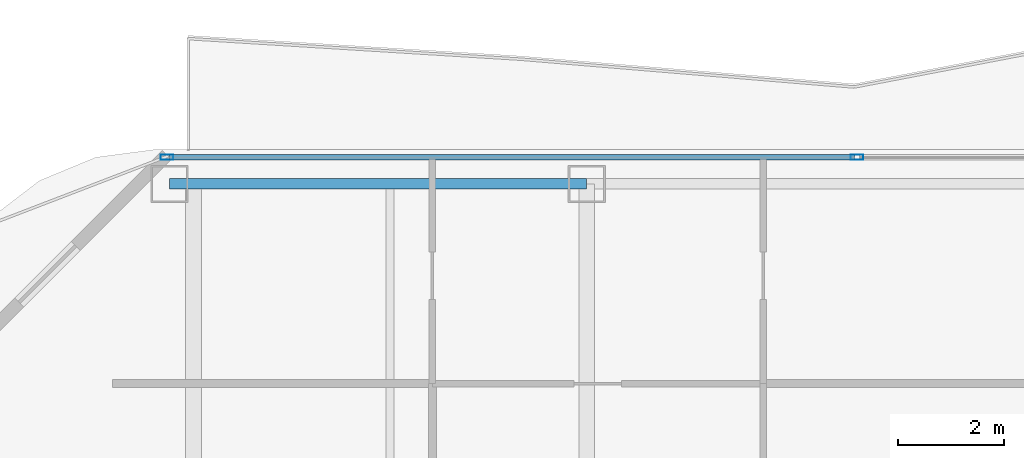
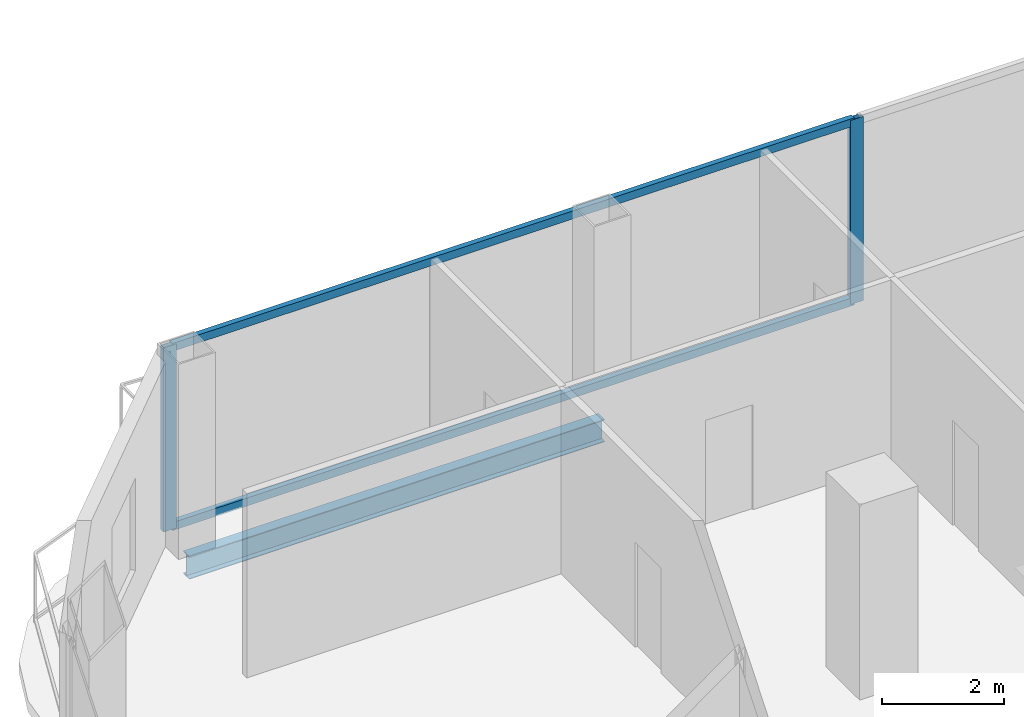
# One storey, part 14 of 27: 4 members, 1 beam, 1 element without a shape of its own.
"""IFC4 building model written with IfcOpenShell, lengths in metres."""

from ifc_helpers import new_model, si_unit, direction, frame, origin, origin_2d, place, context, subcontext, project, spatial, hollow_rectangle, i_section, extrude, material, layer, layer_set, material_profile, profile_set, type_object, element, aggregate, save


model = new_model("IFC4")

# Units and contexts
model_context = context("Model", 3, precision=1e-05, world=origin(), true_north=direction((0.0, 1.0)))
body_context = subcontext(model_context, "Body", "Model", "MODEL_VIEW")
ifc_project = project(units=[si_unit("LENGTHUNIT", "METRE"), si_unit("AREAUNIT", "SQUARE_METRE"), si_unit("VOLUMEUNIT", "CUBIC_METRE"), si_unit("PLANEANGLEUNIT", "RADIAN"), si_unit("MASSUNIT", "GRAM", prefix="KILO")], contexts=[model_context])

# Site, building, storey
site_placement = place(None, origin())
site = spatial("IfcSite", under=ifc_project, at=site_placement, CompositionType="ELEMENT")
building_placement = place(site_placement, origin())
building = spatial("IfcBuilding", under=site, at=building_placement, Name="Khorvyn Point Tower", CompositionType="ELEMENT")
storey_placement = place(building_placement, frame((0.0, 0.0, 129.0)))
storey = spatial("IfcBuildingStorey", under=building, at=storey_placement, Name="L32", CompositionType="ELEMENT", Elevation=129.0)

# Curtain wall, members
ifc_material_1 = material(Name="Anodised aluminium 6063-T6 and laminated Low-E glass", Category="aluminium")
ifc_layer = layer(ifc_material_1, 0.18994140625)
ifc_layer_set = layer_set([ifc_layer], Name="Stick-Built Acoustic Curtain Wall CW-SYS-03")
curtain_wall_type = type_object("IfcCurtainWallType", Name="Stick-Built Acoustic Curtain Wall CW-SYS-03", PredefinedType="NOTDEFINED", material=ifc_layer_set)
curtain_wall_placement = place(storey_placement, origin())
curtain_wall = element("IfcCurtainWall", 1, at=curtain_wall_placement, inside=storey, type_object=curtain_wall_type, Name="Curtain Wall", PredefinedType="NOTDEFINED")
ifc_material_2 = material(Name="Anodised aluminium 6063-T6", Category="aluminium")
ifc_material_profile_1 = material_profile(ifc_material_2, hollow_rectangle(XDim=0.10009765625, YDim=0.239990234375, WallThickness=0.0048828125, at=origin_2d()))
ifc_profile_set_1 = profile_set([ifc_material_profile_1], Name="Anodised aluminium 6063-T6 ALU-MUL-100x240")
member_type_1 = type_object("IfcMemberType", Name="Anodised Aluminium 6063-T6 Mullion ALU-MUL-100x240", PredefinedType="MULLION", material=ifc_profile_set_1)
member_1_placement = place(storey_placement, frame((-15.300048828125, 29.449951171875, 0.0), z_axis=(0.0, 0.0, 1.0), x_axis=(0.0, 1.0, 0.0)))
member_1 = element("IfcMember", 2, at=member_1_placement, type_object=member_type_1, Name="Transom", PredefinedType="MULLION", context=body_context, shape_type="SweptSolid", body=[
    extrude(hollow_rectangle(XDim=0.10009765625, YDim=0.239990234375, WallThickness=0.0048828125, at=origin_2d()), origin(), (0.0, 0.0, 1.0), 3.679931640625),
])
member_2_placement = place(storey_placement, frame((-2.31298828125, 29.449951171875, 0.0), z_axis=(0.0, 0.0, 1.0), x_axis=(0.0, 1.0, 0.0)))
member_2 = element("IfcMember", 3, at=member_2_placement, type_object=member_type_1, Name="Transom", PredefinedType="MULLION", context=body_context, shape_type="SweptSolid", body=[
    extrude(hollow_rectangle(XDim=0.10009765625, YDim=0.239990234375, WallThickness=0.0048828125, at=origin_2d()), origin(), (0.0, 0.0, 1.0), 3.679931640625),
])
ifc_material_profile_2 = material_profile(ifc_material_2, hollow_rectangle(XDim=0.10009765625, YDim=0.159912109375, WallThickness=0.00439453125, at=origin_2d()))
ifc_profile_set_2 = profile_set([ifc_material_profile_2], Name="Anodised aluminium 6063-T6 ALU-TRN-100x160")
member_type_2 = type_object("IfcMemberType", Name="Anodised Aluminium 6063-T6 Transom ALU-TRN-100x160", PredefinedType="USERDEFINED", material=ifc_profile_set_2)
member_3_placement = place(storey_placement, frame((-15.25, 29.449951171875, 0.050048828125), z_axis=(1.0, 0.0, 0.0), x_axis=(0.0, 1.0, 0.0)))
member_3 = element("IfcMember", 4, at=member_3_placement, type_object=member_type_2, Name="Transom", ObjectType="TRANSOM", PredefinedType="USERDEFINED", context=body_context, shape_type="SweptSolid", body=[
    extrude(hollow_rectangle(XDim=0.10009765625, YDim=0.159912109375, WallThickness=0.00439453125, at=origin_2d()), origin(), (0.0, 0.0, 1.0), 12.886962890625),
])
member_4_placement = place(storey_placement, frame((-15.25, 29.449951171875, 3.6298828125), z_axis=(1.0, 0.0, 0.0), x_axis=(0.0, 1.0, 0.0)))
member_4 = element("IfcMember", 5, at=member_4_placement, type_object=member_type_2, Name="Transom", ObjectType="TRANSOM", PredefinedType="USERDEFINED", context=body_context, shape_type="SweptSolid", body=[
    extrude(hollow_rectangle(XDim=0.10009765625, YDim=0.159912109375, WallThickness=0.00439453125, at=origin_2d()), origin(), (0.0, 0.0, 1.0), 12.886962890625),
])
aggregate(curtain_wall, [member_1, member_2, member_3, member_4])

# Beam
ifc_material_3 = material(Name="Steel S355", Category="steel")
ifc_material_profile_3 = material_profile(ifc_material_3, i_section(OverallWidth=0.199951171875, OverallDepth=0.449951171875, WebThickness=0.009033203125, FlangeThickness=0.013916015625, at=origin_2d()))
ifc_profile_set_3 = profile_set([ifc_material_profile_3], Name="Steel S355 H450x200x9x14")
beam_type = type_object("IfcBeamType", Name="Steel S355 Spandrel H450x200x9x14", PredefinedType="SPANDREL", material=ifc_profile_set_3)
beam_placement = place(storey_placement, frame((-15.25, 28.949951171875, -0.445068359375), z_axis=(1.0, 0.0, 0.0), x_axis=(0.0, 1.0, 0.0)))
element("IfcBeam", 6, at=beam_placement, inside=storey, type_object=beam_type, Name="Beam", PredefinedType="SPANDREL", context=body_context, shape_type="SweptSolid", body=[
    extrude(i_section(OverallWidth=0.199951171875, OverallDepth=0.449951171875, WebThickness=0.009033203125, FlangeThickness=0.013916015625, at=origin_2d()), origin(), (0.0, 0.0, 1.0), 7.85009765625),
])

save(model, "model.ifc")
